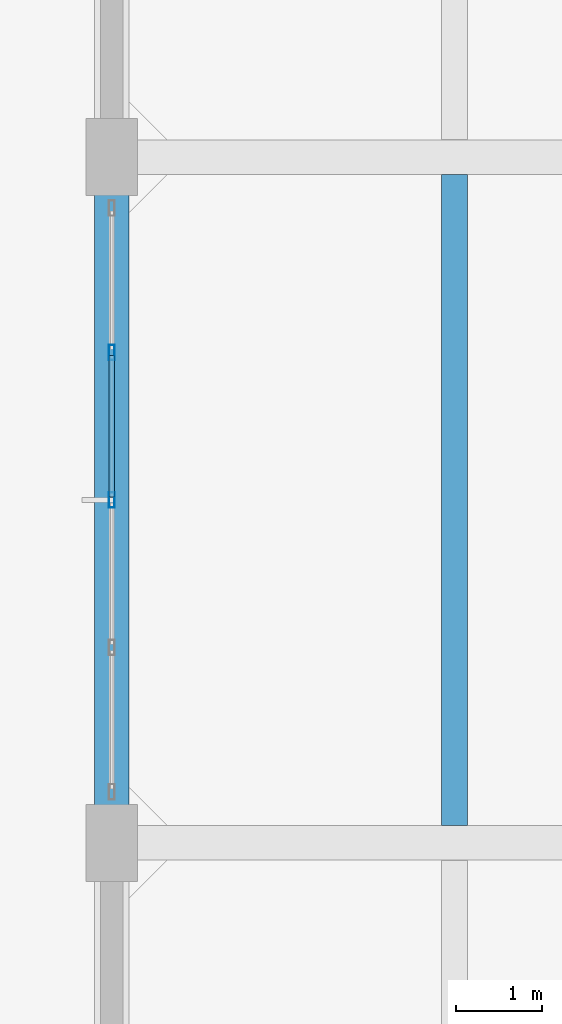
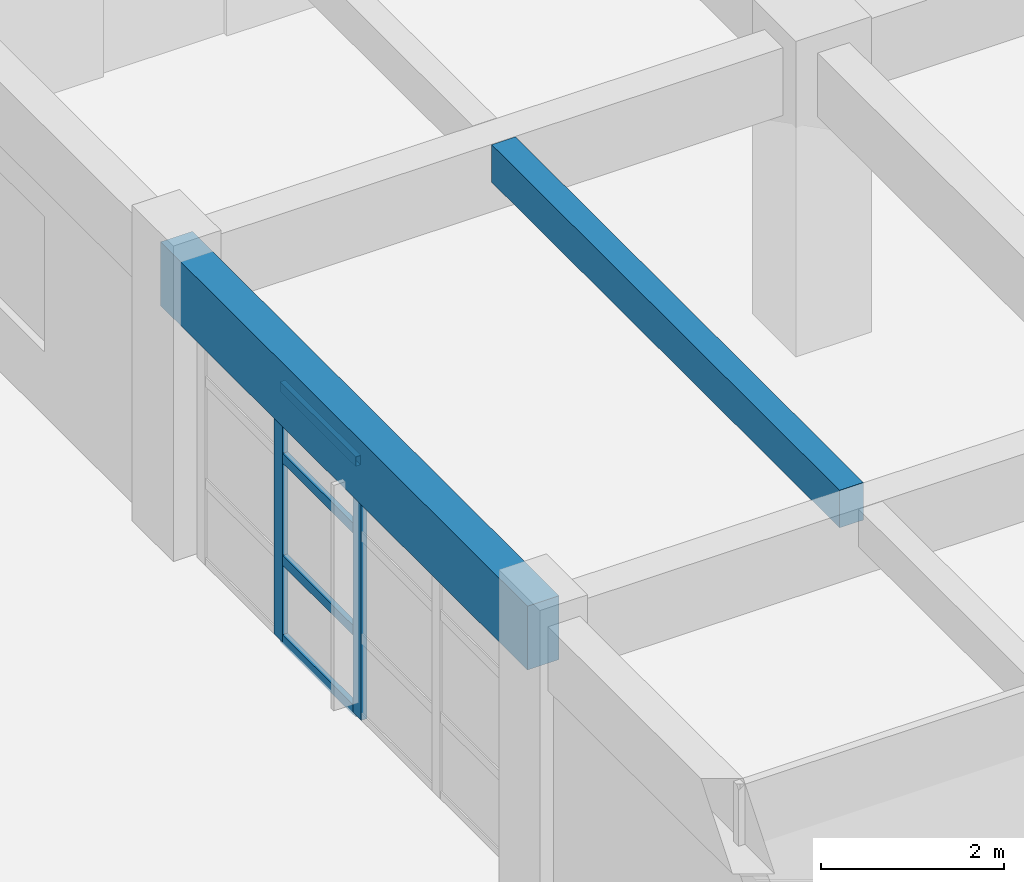
# One storey, part 7 of 35: 6 members, 2 beams, 1 element without a shape of its own.
"""IFC4 building model written with IfcOpenShell, lengths in metres."""

from ifc_helpers import new_model, si_unit, direction, frame, origin, origin_2d, place, context, subcontext, project, spatial, rectangle, hollow_rectangle, extrude, material, layer, layer_set, material_profile, profile_set, type_object, element, aggregate, save


model = new_model("IFC4")

# Units and contexts
model_context = context("Model", 3, precision=1e-05, world=origin(), true_north=direction((0.0, 1.0)))
body_context = subcontext(model_context, "Body", "Model", "MODEL_VIEW")
ifc_project = project(units=[si_unit("LENGTHUNIT", "METRE"), si_unit("AREAUNIT", "SQUARE_METRE"), si_unit("VOLUMEUNIT", "CUBIC_METRE"), si_unit("PLANEANGLEUNIT", "RADIAN"), si_unit("MASSUNIT", "GRAM", prefix="KILO")], contexts=[model_context])

# Site, building, storey
site_placement = place(None, origin())
site = spatial("IfcSite", under=ifc_project, at=site_placement, CompositionType="ELEMENT")
building_placement = place(site_placement, origin())
building = spatial("IfcBuilding", under=site, at=building_placement, Name="Canggui Botanical Conservatory", CompositionType="ELEMENT")
storey_placement = place(building_placement, frame((0.0, 0.0, 15.0)))
storey = spatial("IfcBuildingStorey", under=building, at=storey_placement, Name="L04", CompositionType="ELEMENT", Elevation=15.0)

# Beams
ifc_material_1 = material(Name="Concrete C35", Category="concrete")
ifc_material_profile_1 = material_profile(ifc_material_1, rectangle(XDim=0.300048828125, YDim=0.5, at=origin_2d()), Name="RB 300x500")
ifc_profile_set_1 = profile_set([ifc_material_profile_1], Name="Concrete C35")
beam_type_1 = type_object("IfcBeamType", Name="BM-JST02", PredefinedType="JOIST", material=ifc_profile_set_1)
beam_1_placement = place(storey_placement, frame((142.0, 58.205078125, 3.699951171875), z_axis=(0.0, 1.0, 0.0), x_axis=(-1.0, 0.0, 0.0)))
element("IfcBeam", 1, at=beam_1_placement, inside=storey, type_object=beam_type_1, Name="Secondary Floor Joist L04-1-5", PredefinedType="JOIST", context=body_context, shape_type="SweptSolid", body=[
    extrude(rectangle(XDim=0.300048828125, YDim=0.5, at=origin_2d()), origin(), (0.0, 0.0, 1.0), 7.58984375),
])
ifc_material_profile_2 = material_profile(ifc_material_1, rectangle(XDim=0.39990234375, YDim=0.85009765625, at=origin_2d()), Name="RB 400x850")
ifc_profile_set_2 = profile_set([ifc_material_profile_2], Name="Concrete C35")
beam_type_2 = type_object("IfcBeamType", Name="BM-KL08", PredefinedType="BEAM", material=ifc_profile_set_2)
beam_2_placement = place(storey_placement, frame((138.0, 58.0, 3.52490234375), z_axis=(0.0, 1.0, 0.0), x_axis=(-1.0, 0.0, 0.0)))
element("IfcBeam", 2, at=beam_2_placement, inside=storey, type_object=beam_type_2, Name="Frame Girder L04 X138-5", PredefinedType="BEAM", context=body_context, shape_type="SweptSolid", body=[
    extrude(rectangle(XDim=0.39990234375, YDim=0.85009765625, at=origin_2d()), origin(), (0.0, 0.0, 1.0), 8.0),
])

# Curtain wall, members
ifc_material_2 = material(Name="Thermally Broken Aluminium", Category="aluminium")
ifc_layer = layer(ifc_material_2, 0.179931640625, Name="Thermally Broken Aluminium", Category="aluminium")
ifc_layer_set = layer_set([ifc_layer], Name="Thermally Broken Aluminium")
curtain_wall_type = type_object("IfcCurtainWallType", Name="CW-UNIT-A", PredefinedType="USERDEFINED", material=ifc_layer_set)
curtain_wall_placement = place(storey_placement, origin())
curtain_wall = element("IfcCurtainWall", 3, at=curtain_wall_placement, inside=storey, type_object=curtain_wall_type, Name="Facade Curtain Wall CW-TWR-L04-10", ObjectType="UNITISED CURTAIN WALL", PredefinedType="USERDEFINED")
ifc_material_profile_3 = material_profile(ifc_material_2, hollow_rectangle(XDim=0.070068359375, YDim=0.179931640625, WallThickness=0.00390625, at=origin_2d()), Name="CWM 70x180x4")
ifc_profile_set_3 = profile_set([ifc_material_profile_3], Name="Thermally Broken Aluminium")
member_type_1 = type_object("IfcMemberType", Name="CWM-01", PredefinedType="MULLION", material=ifc_profile_set_3)
member_1_placement = place(storey_placement, frame((138.0, 62.0, 0.0), z_axis=(0.0, 0.0, 1.0), x_axis=(-1.0, 0.0, 0.0)))
member_1 = element("IfcMember", 4, at=member_1_placement, type_object=member_type_1, Name="CW-01 mullion 3", PredefinedType="MULLION", context=body_context, shape_type="SweptSolid", body=[
    extrude(hollow_rectangle(XDim=0.070068359375, YDim=0.179931640625, WallThickness=0.00390625, at=origin_2d()), origin(), (0.0, 0.0, 1.0), 3.39990234375),
])
member_2_placement = place(storey_placement, frame((138.0, 63.719970703125, 0.0), z_axis=(0.0, 0.0, 1.0), x_axis=(-1.0, 0.0, 0.0)))
member_2 = element("IfcMember", 5, at=member_2_placement, type_object=member_type_1, Name="CW-01 mullion 4", PredefinedType="MULLION", context=body_context, shape_type="SweptSolid", body=[
    extrude(hollow_rectangle(XDim=0.070068359375, YDim=0.179931640625, WallThickness=0.00390625, at=origin_2d()), origin(), (0.0, 0.0, 1.0), 3.39990234375),
])
ifc_material_profile_4 = material_profile(ifc_material_2, hollow_rectangle(XDim=0.06494140625, YDim=0.1298828125, WallThickness=0.00341796875, at=origin_2d()), Name="CWT 65x130x3.5")
ifc_profile_set_4 = profile_set([ifc_material_profile_4], Name="Thermally Broken Aluminium")
member_type_2 = type_object("IfcMemberType", Name="CWT-01", PredefinedType="USERDEFINED", material=ifc_profile_set_4)
member_3_placement = place(storey_placement, frame((138.0, 62.034912109375, 0.032470703125), z_axis=(0.0, 1.0, 0.0), x_axis=(-1.0, 0.0, 0.0)))
member_3 = element("IfcMember", 6, at=member_3_placement, type_object=member_type_2, Name="CW-01 transom 3.1", ObjectType="TRANSOM", PredefinedType="USERDEFINED", context=body_context, shape_type="SweptSolid", body=[
    extrude(hollow_rectangle(XDim=0.06494140625, YDim=0.1298828125, WallThickness=0.00341796875, at=origin_2d()), origin(), (0.0, 0.0, 1.0), 1.650146484375),
])
member_4_placement = place(storey_placement, frame((138.0, 62.034912109375, 1.087890625), z_axis=(0.0, 1.0, 0.0), x_axis=(-1.0, 0.0, 0.0)))
member_4 = element("IfcMember", 7, at=member_4_placement, type_object=member_type_2, Name="CW-01 transom 3.2", ObjectType="TRANSOM", PredefinedType="USERDEFINED", context=body_context, shape_type="SweptSolid", body=[
    extrude(hollow_rectangle(XDim=0.06494140625, YDim=0.1298828125, WallThickness=0.00341796875, at=origin_2d()), origin(), (0.0, 0.0, 1.0), 1.650146484375),
])
member_5_placement = place(storey_placement, frame((138.0, 62.034912109375, 2.447998046875), z_axis=(0.0, 1.0, 0.0), x_axis=(-1.0, 0.0, 0.0)))
member_5 = element("IfcMember", 8, at=member_5_placement, type_object=member_type_2, Name="CW-01 transom 3.3", ObjectType="TRANSOM", PredefinedType="USERDEFINED", context=body_context, shape_type="SweptSolid", body=[
    extrude(hollow_rectangle(XDim=0.06494140625, YDim=0.1298828125, WallThickness=0.00341796875, at=origin_2d()), origin(), (0.0, 0.0, 1.0), 1.650146484375),
])
member_6_placement = place(storey_placement, frame((138.0, 62.034912109375, 3.367431640625), z_axis=(0.0, 1.0, 0.0), x_axis=(-1.0, 0.0, 0.0)))
member_6 = element("IfcMember", 9, at=member_6_placement, type_object=member_type_2, Name="CW-01 transom 3.4", ObjectType="TRANSOM", PredefinedType="USERDEFINED", context=body_context, shape_type="SweptSolid", body=[
    extrude(hollow_rectangle(XDim=0.06494140625, YDim=0.1298828125, WallThickness=0.00341796875, at=origin_2d()), origin(), (0.0, 0.0, 1.0), 1.650146484375),
])
aggregate(curtain_wall, [member_1, member_2, member_3, member_4, member_5, member_6])

save(model, "model.ifc")
